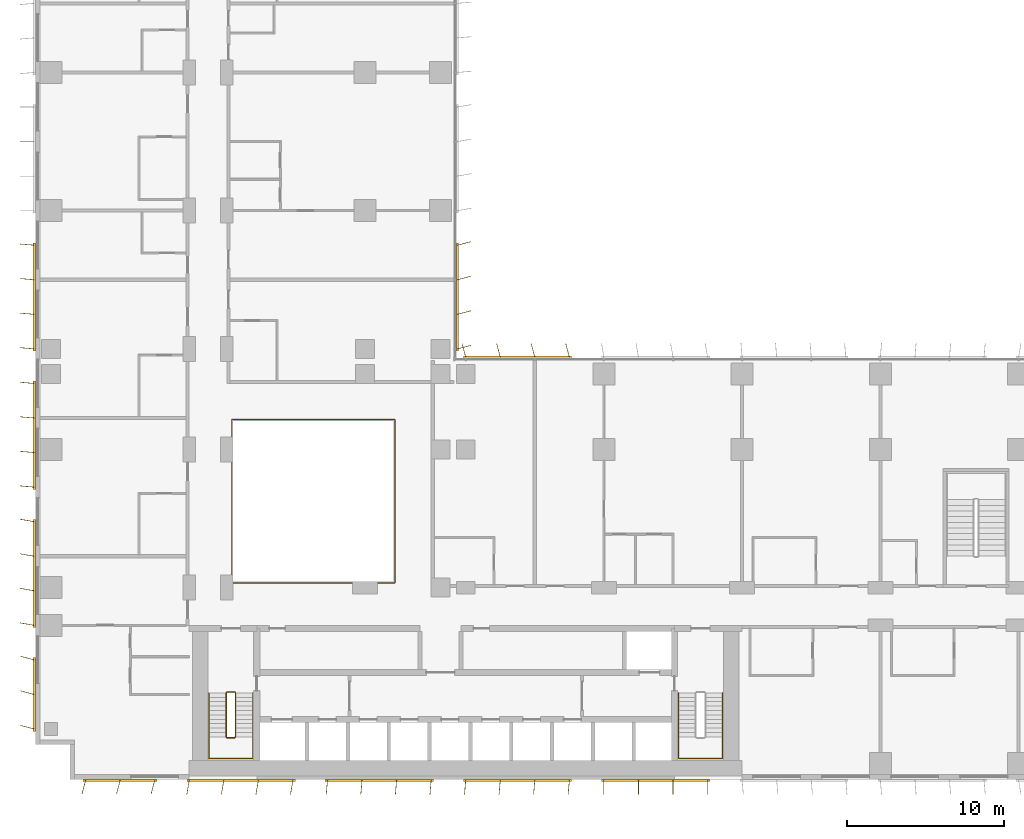
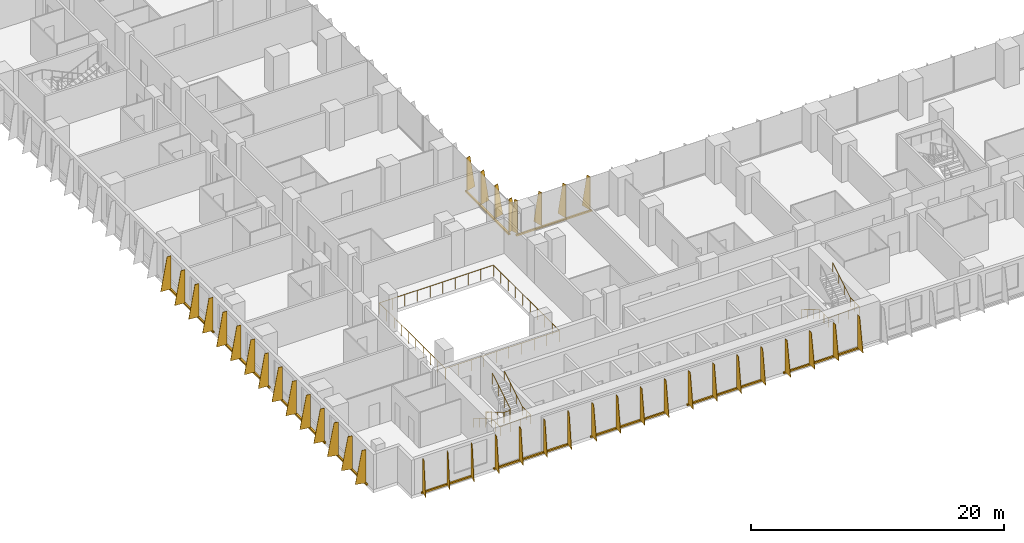
# One storey, part 21 of 24: 11 shading devices, 4 railings.
"""IFC4 building model written with IfcOpenShell, lengths in metres."""

from ifc_helpers import new_model, si_unit, direction, frame, origin, origin_2d, place, context, subcontext, project, spatial, polyline, rectangle, circle, outline, extrude, source, transform, mapped, material, layer, layer_set, type_object, element, save


model = new_model("IFC4")

# Units and contexts
model_context = context("Model", 3, precision=1e-05, world=origin(), true_north=direction((0.0, 1.0)))
body_context = subcontext(model_context, "Body", "Model", "MODEL_VIEW")
ifc_project = project(units=[si_unit("LENGTHUNIT", "METRE"), si_unit("AREAUNIT", "SQUARE_METRE"), si_unit("VOLUMEUNIT", "CUBIC_METRE"), si_unit("PLANEANGLEUNIT", "RADIAN"), si_unit("MASSUNIT", "GRAM", prefix="KILO")], contexts=[model_context])

# Site, building, storey
site_placement = place(None, origin())
site = spatial("IfcSite", under=ifc_project, at=site_placement, CompositionType="ELEMENT")
building_placement = place(site_placement, origin())
building = spatial("IfcBuilding", under=site, at=building_placement, Name="Kemantara Hotel Tower", CompositionType="ELEMENT")
storey_placement = place(building_placement, frame((0.0, 0.0, 45.10009765625)))
storey = spatial("IfcBuildingStorey", under=building, at=storey_placement, Name="L09", CompositionType="ELEMENT", Elevation=45.10009765625)

# Railings
ifc_material_1 = material(Name="Stainless steel and laminated glass balustrade", Category="steel")
railing_type_1 = type_object("IfcRailingType", Name="ATRIUM GUARD 1100", PredefinedType="GUARDRAIL", material=ifc_material_1)
railing_1_placement = place(storey_placement, frame((12.56005859375, 12.5, 0.0)))
element("IfcRailing", 1, at=railing_1_placement, inside=storey, type_object=railing_type_1, Name="ATRIUM GUARD L09", PredefinedType="GUARDRAIL", context=body_context, shape_type="SweptSolid", body=[
    extrude(circle(Radius=0.02490234375, at=origin_2d()), frame((0.0, 0.0, 1.0751953125), z_axis=(1.0, 0.0, 0.0), x_axis=(0.0, 1.0, 0.0)), (0.0, 0.0, 1.0), 10.33984375),
    extrude(circle(Radius=0.02490234375, at=origin_2d()), frame((10.33984375, 0.0, 1.0751953125), z_axis=(0.0, 1.0, 0.0), x_axis=(-1.0, 0.0, 0.0)), (0.0, 0.0, 1.0), 10.39990234375),
    extrude(circle(Radius=0.02490234375, at=origin_2d()), frame((10.33984375, 10.39990234375, 1.0751953125), z_axis=(-1.0, 0.0, 0.0), x_axis=(0.0, -1.0, 0.0)), (0.0, 0.0, 1.0), 10.39990234375),
    extrude(circle(Radius=0.02490234375, at=origin_2d()), frame((-0.06005859375, 10.39990234375, 1.0751953125), z_axis=(0.0, -1.0, 0.0), x_axis=(1.0, 0.0, 0.0)), (0.0, 0.0, 1.0), 10.39990234375),
    extrude(circle(Radius=0.02001953125, at=origin_2d()), origin(), (0.0, 0.0, 1.0), 1.050048828125),
    extrude(circle(Radius=0.02001953125, at=origin_2d()), frame((1.14892578125, 0.0, 0.0)), (0.0, 0.0, 1.0), 1.050048828125),
    extrude(circle(Radius=0.02001953125, at=origin_2d()), frame((2.2978515625, 0.0, 0.0)), (0.0, 0.0, 1.0), 1.050048828125),
    extrude(circle(Radius=0.02001953125, at=origin_2d()), frame((3.446533203125, 0.0, 0.0)), (0.0, 0.0, 1.0), 1.050048828125),
    extrude(circle(Radius=0.02001953125, at=origin_2d()), frame((4.595458984375, 0.0, 0.0)), (0.0, 0.0, 1.0), 1.050048828125),
    extrude(circle(Radius=0.02001953125, at=origin_2d()), frame((5.744384765625, 0.0, 0.0)), (0.0, 0.0, 1.0), 1.050048828125),
    extrude(circle(Radius=0.02001953125, at=origin_2d()), frame((6.893310546875, 0.0, 0.0)), (0.0, 0.0, 1.0), 1.050048828125),
    extrude(circle(Radius=0.02001953125, at=origin_2d()), frame((8.0419921875, 0.0, 0.0)), (0.0, 0.0, 1.0), 1.050048828125),
    extrude(circle(Radius=0.02001953125, at=origin_2d()), frame((9.19091796875, 0.0, 0.0)), (0.0, 0.0, 1.0), 1.050048828125),
    extrude(circle(Radius=0.02001953125, at=origin_2d()), frame((10.33984375, 0.0, 0.0)), (0.0, 0.0, 1.0), 1.050048828125),
    extrude(circle(Radius=0.02001953125, at=origin_2d()), frame((10.33984375, 1.155517578125, 0.0)), (0.0, 0.0, 1.0), 1.050048828125),
    extrude(circle(Radius=0.02001953125, at=origin_2d()), frame((10.33984375, 2.31103515625, 0.0)), (0.0, 0.0, 1.0), 1.050048828125),
    extrude(circle(Radius=0.02001953125, at=origin_2d()), frame((10.33984375, 3.466552734375, 0.0)), (0.0, 0.0, 1.0), 1.050048828125),
    extrude(circle(Radius=0.02001953125, at=origin_2d()), frame((10.33984375, 4.6220703125, 0.0)), (0.0, 0.0, 1.0), 1.050048828125),
    extrude(circle(Radius=0.02001953125, at=origin_2d()), frame((10.33984375, 5.77783203125, 0.0)), (0.0, 0.0, 1.0), 1.050048828125),
    extrude(circle(Radius=0.02001953125, at=origin_2d()), frame((10.33984375, 6.933349609375, 0.0)), (0.0, 0.0, 1.0), 1.050048828125),
    extrude(circle(Radius=0.02001953125, at=origin_2d()), frame((10.33984375, 8.0888671875, 0.0)), (0.0, 0.0, 1.0), 1.050048828125),
    extrude(circle(Radius=0.02001953125, at=origin_2d()), frame((10.33984375, 9.244384765625, 0.0)), (0.0, 0.0, 1.0), 1.050048828125),
    extrude(circle(Radius=0.02001953125, at=origin_2d()), frame((10.33984375, 10.39990234375, 0.0)), (0.0, 0.0, 1.0), 1.050048828125),
    extrude(circle(Radius=0.02001953125, at=origin_2d()), frame((9.184326171875, 10.39990234375, 0.0)), (0.0, 0.0, 1.0), 1.050048828125),
    extrude(circle(Radius=0.02001953125, at=origin_2d()), frame((8.02880859375, 10.39990234375, 0.0)), (0.0, 0.0, 1.0), 1.050048828125),
    extrude(circle(Radius=0.02001953125, at=origin_2d()), frame((6.873291015625, 10.39990234375, 0.0)), (0.0, 0.0, 1.0), 1.050048828125),
    extrude(circle(Radius=0.02001953125, at=origin_2d()), frame((5.7177734375, 10.39990234375, 0.0)), (0.0, 0.0, 1.0), 1.050048828125),
    extrude(circle(Radius=0.02001953125, at=origin_2d()), frame((4.56201171875, 10.39990234375, 0.0)), (0.0, 0.0, 1.0), 1.050048828125),
    extrude(circle(Radius=0.02001953125, at=origin_2d()), frame((3.406494140625, 10.39990234375, 0.0)), (0.0, 0.0, 1.0), 1.050048828125),
    extrude(circle(Radius=0.02001953125, at=origin_2d()), frame((2.2509765625, 10.39990234375, 0.0)), (0.0, 0.0, 1.0), 1.050048828125),
    extrude(circle(Radius=0.02001953125, at=origin_2d()), frame((1.095458984375, 10.39990234375, 0.0)), (0.0, 0.0, 1.0), 1.050048828125),
    extrude(circle(Radius=0.02001953125, at=origin_2d()), frame((-0.06005859375, 10.39990234375, 0.0)), (0.0, 0.0, 1.0), 1.050048828125),
    extrude(circle(Radius=0.02001953125, at=origin_2d()), frame((-0.06005859375, 9.244384765625, 0.0)), (0.0, 0.0, 1.0), 1.050048828125),
    extrude(circle(Radius=0.02001953125, at=origin_2d()), frame((-0.06005859375, 8.0888671875, 0.0)), (0.0, 0.0, 1.0), 1.050048828125),
    extrude(circle(Radius=0.02001953125, at=origin_2d()), frame((-0.06005859375, 6.933349609375, 0.0)), (0.0, 0.0, 1.0), 1.050048828125),
    extrude(circle(Radius=0.02001953125, at=origin_2d()), frame((-0.06005859375, 5.77783203125, 0.0)), (0.0, 0.0, 1.0), 1.050048828125),
    extrude(circle(Radius=0.02001953125, at=origin_2d()), frame((-0.06005859375, 4.6220703125, 0.0)), (0.0, 0.0, 1.0), 1.050048828125),
    extrude(circle(Radius=0.02001953125, at=origin_2d()), frame((-0.06005859375, 3.466552734375, 0.0)), (0.0, 0.0, 1.0), 1.050048828125),
    extrude(circle(Radius=0.02001953125, at=origin_2d()), frame((-0.06005859375, 2.31103515625, 0.0)), (0.0, 0.0, 1.0), 1.050048828125),
    extrude(circle(Radius=0.02001953125, at=origin_2d()), frame((-0.06005859375, 1.155517578125, 0.0)), (0.0, 0.0, 1.0), 1.050048828125),
    extrude(circle(Radius=0.02001953125, at=origin_2d()), frame((-0.06005859375, 0.0, 0.0)), (0.0, 0.0, 1.0), 1.050048828125),
])
ifc_material_2 = material(Name="Stainless steel balustrade", Category="steel")
railing_type_2 = type_object("IfcRailingType", Name="Stair guard 1100 mm", PredefinedType="GUARDRAIL", material=ifc_material_2)
railing_2_placement = place(storey_placement, frame((12.75, 5.5, 3.699951171875)))
element("IfcRailing", 2, at=railing_2_placement, inside=storey, type_object=railing_type_2, Name="L09 ST1 stair guard 1", PredefinedType="GUARDRAIL", context=body_context, shape_type="SweptSolid", body=[
    extrude(circle(Radius=0.02392578125, at=origin_2d()), frame((0.0, 0.0, 1.076171875), z_axis=(0.0, -0.857242210791, -0.514913383045), x_axis=(1.0, 0.0, 0.0)), (0.0, 0.0, 1.0), 3.266357421875),
    extrude(circle(Radius=0.02392578125, at=origin_2d()), frame((0.0, -2.800048828125, -0.60595703125), z_axis=(-0.274243871929, -0.274243871929, -0.92172696468), x_axis=(0.707106781187, -0.707106781187, 0.0)), (0.0, 0.0, 1.0), 0.1826171875),
    extrude(circle(Radius=0.02392578125, at=origin_2d()), frame((-0.050048828125, -2.85009765625, -0.77392578125), z_axis=(-1.0, 0.0, 0.0), x_axis=(0.0, -1.0, 0.0)), (0.0, 0.0, 1.0), 0.5),
    extrude(circle(Radius=0.02392578125, at=origin_2d()), frame((-0.550048828125, -2.85009765625, -0.77392578125), z_axis=(-0.707106781187, 0.707106781187, 0.0), x_axis=(-0.707106781187, -0.707106781187, 0.0)), (0.0, 0.0, 1.0), 0.07080078125),
    extrude(circle(Radius=0.02392578125, at=origin_2d()), frame((-0.60009765625, -2.800048828125, -0.77392578125), z_axis=(0.0, 0.857242210791, -0.514913383045), x_axis=(-1.0, 0.0, 0.0)), (0.0, 0.0, 1.0), 3.266357421875),
    extrude(circle(Radius=0.02392578125, at=origin_2d()), frame((-0.60009765625, 0.0, -2.4560546875), z_axis=(0.274582412415, 0.274582412415, -0.921525364591), x_axis=(-0.707106781187, 0.707106781187, 0.0)), (0.0, 0.0, 1.0), 0.182373046875),
    extrude(circle(Radius=0.02392578125, at=origin_2d()), frame((-0.550048828125, 0.050048828125, -2.6240234375), z_axis=(1.0, 0.0, 0.0), x_axis=(0.0, 1.0, 0.0)), (0.0, 0.0, 1.0), 0.5),
    extrude(circle(Radius=0.02099609375, at=origin_2d()), origin(), (0.0, 0.0, 1.0), 1.052001953125),
    extrude(circle(Radius=0.02099609375, at=origin_2d()), frame((0.0, -0.933349609375, -0.560546875)), (0.0, 0.0, 1.0), 1.052001953125),
    extrude(circle(Radius=0.02099609375, at=origin_2d()), frame((0.0, -1.86669921875, -1.121337890625)), (0.0, 0.0, 1.0), 1.052001953125),
    extrude(circle(Radius=0.02099609375, at=origin_2d()), frame((0.0, -2.800048828125, -1.681884765625)), (0.0, 0.0, 1.0), 1.052001953125),
    extrude(circle(Radius=0.02099609375, at=origin_2d()), frame((-0.050048828125, -2.85009765625, -1.85009765625)), (0.0, 0.0, 1.0), 1.052001953125),
    extrude(circle(Radius=0.02099609375, at=origin_2d()), frame((-0.550048828125, -2.85009765625, -1.85009765625)), (0.0, 0.0, 1.0), 1.052001953125),
    extrude(circle(Radius=0.02099609375, at=origin_2d()), frame((-0.60009765625, -2.800048828125, -1.85009765625)), (0.0, 0.0, 1.0), 1.052001953125),
    extrude(circle(Radius=0.02099609375, at=origin_2d()), frame((-0.60009765625, -1.86669921875, -2.41064453125)), (0.0, 0.0, 1.0), 1.052001953125),
    extrude(circle(Radius=0.02099609375, at=origin_2d()), frame((-0.60009765625, -0.933349609375, -2.971435546875)), (0.0, 0.0, 1.0), 1.052001953125),
    extrude(circle(Radius=0.02099609375, at=origin_2d()), frame((-0.60009765625, 0.0, -3.531982421875)), (0.0, 0.0, 1.0), 1.052001953125),
    extrude(circle(Radius=0.02099609375, at=origin_2d()), frame((-0.550048828125, 0.050048828125, -3.699951171875)), (0.0, 0.0, 1.0), 1.052001953125),
    extrude(circle(Radius=0.02099609375, at=origin_2d()), frame((-0.050048828125, 0.050048828125, -3.699951171875)), (0.0, 0.0, 1.0), 1.052001953125),
])
railing_type_3 = type_object("IfcRailingType", Name="Stair handrail 900 mm", PredefinedType="HANDRAIL", material=ifc_material_2)
railing_3_placement = place(storey_placement, frame((11.050048828125, 5.5, 0.16796875)))
element("IfcRailing", 3, at=railing_3_placement, inside=storey, type_object=railing_type_3, Name="L09 ST1 stair handrail 1", PredefinedType="HANDRAIL", context=body_context, shape_type="SweptSolid", body=[
    extrude(circle(Radius=0.02392578125, at=origin_2d()), frame((0.0, 0.0, 0.8759765625), z_axis=(0.0, -0.857242210791, 0.514913383045), x_axis=(1.0, 0.0, 0.0)), (0.0, 0.0, 1.0), 3.266357421875),
    extrude(circle(Radius=0.02392578125, at=origin_2d()), frame((0.0, -2.800048828125, 2.5576171875), z_axis=(0.0, -1.0, 0.0), x_axis=(1.0, 0.0, 0.0)), (0.0, 0.0, 1.0), 1.3798828125),
    extrude(circle(Radius=0.02392578125, at=origin_2d()), frame((0.0, -4.179931640625, 2.5576171875), z_axis=(0.998200367801, 0.0, 0.059966871865), x_axis=(0.0, 1.0, 0.0)), (0.0, 0.0, 1.0), 2.80517578125),
    extrude(circle(Radius=0.02392578125, at=origin_2d()), frame((2.800048828125, -4.179931640625, 2.72607421875), z_axis=(0.0, 1.0, 0.0), x_axis=(-1.0, 0.0, 0.0)), (0.0, 0.0, 1.0), 1.3798828125),
    extrude(circle(Radius=0.02392578125, at=origin_2d()), frame((2.800048828125, -2.800048828125, 2.72607421875), z_axis=(0.0, 0.857242210791, 0.514913383045), x_axis=(-1.0, 0.0, 0.0)), (0.0, 0.0, 1.0), 3.266357421875),
    extrude(circle(Radius=0.02099609375, at=origin_2d()), origin(), (0.0, 0.0, 1.0), 0.851806640625),
    extrude(circle(Radius=0.02099609375, at=origin_2d()), frame((0.0, -0.933349609375, 0.560546875)), (0.0, 0.0, 1.0), 0.851806640625),
    extrude(circle(Radius=0.02099609375, at=origin_2d()), frame((0.0, -1.86669921875, 1.121337890625)), (0.0, 0.0, 1.0), 0.851806640625),
    extrude(circle(Radius=0.02099609375, at=origin_2d()), frame((0.0, -2.800048828125, 1.681884765625)), (0.0, 0.0, 1.0), 0.851806640625),
    extrude(circle(Radius=0.02099609375, at=origin_2d()), frame((0.0, -3.489990234375, 1.681884765625)), (0.0, 0.0, 1.0), 0.851806640625),
    extrude(circle(Radius=0.02099609375, at=origin_2d()), frame((0.0, -4.179931640625, 1.681884765625)), (0.0, 0.0, 1.0), 0.851806640625),
    extrude(circle(Radius=0.02099609375, at=origin_2d()), frame((0.933349609375, -4.179931640625, 1.738037109375)), (0.0, 0.0, 1.0), 0.851806640625),
    extrude(circle(Radius=0.02099609375, at=origin_2d()), frame((1.86669921875, -4.179931640625, 1.7939453125)), (0.0, 0.0, 1.0), 0.851806640625),
    extrude(circle(Radius=0.02099609375, at=origin_2d()), frame((2.800048828125, -4.179931640625, 1.85009765625)), (0.0, 0.0, 1.0), 0.851806640625),
    extrude(circle(Radius=0.02099609375, at=origin_2d()), frame((2.800048828125, -3.489990234375, 1.85009765625)), (0.0, 0.0, 1.0), 0.851806640625),
    extrude(circle(Radius=0.02099609375, at=origin_2d()), frame((2.800048828125, -2.800048828125, 1.85009765625)), (0.0, 0.0, 1.0), 0.851806640625),
    extrude(circle(Radius=0.02099609375, at=origin_2d()), frame((2.800048828125, -1.86669921875, 2.41064453125)), (0.0, 0.0, 1.0), 0.851806640625),
    extrude(circle(Radius=0.02099609375, at=origin_2d()), frame((2.800048828125, -0.933349609375, 2.971435546875)), (0.0, 0.0, 1.0), 0.851806640625),
    extrude(circle(Radius=0.02099609375, at=origin_2d()), frame((2.800048828125, 0.0, 3.531982421875)), (0.0, 0.0, 1.0), 0.851806640625),
])
railing_4_placement = place(storey_placement, frame((40.949951171875, 5.5, 0.16796875)))
element("IfcRailing", 4, at=railing_4_placement, inside=storey, type_object=railing_type_3, Name="L09 ST2 stair handrail 1", PredefinedType="HANDRAIL", context=body_context, shape_type="SweptSolid", body=[
    extrude(circle(Radius=0.02392578125, at=origin_2d()), frame((0.0, 0.0, 0.8759765625), z_axis=(0.0, -0.857242210791, 0.514913383045), x_axis=(1.0, 0.0, 0.0)), (0.0, 0.0, 1.0), 3.266357421875),
    extrude(circle(Radius=0.02392578125, at=origin_2d()), frame((0.0, -2.800048828125, 2.5576171875), z_axis=(0.0, -1.0, 0.0), x_axis=(1.0, 0.0, 0.0)), (0.0, 0.0, 1.0), 1.3798828125),
    extrude(circle(Radius=0.02392578125, at=origin_2d()), frame((0.0, -4.179931640625, 2.5576171875), z_axis=(0.998200367801, 0.0, 0.059966871865), x_axis=(0.0, 1.0, 0.0)), (0.0, 0.0, 1.0), 2.80517578125),
    extrude(circle(Radius=0.02392578125, at=origin_2d()), frame((2.800048828125, -4.179931640625, 2.72607421875), z_axis=(0.0, 1.0, 0.0), x_axis=(-1.0, 0.0, 0.0)), (0.0, 0.0, 1.0), 1.3798828125),
    extrude(circle(Radius=0.02392578125, at=origin_2d()), frame((2.800048828125, -2.800048828125, 2.72607421875), z_axis=(0.0, 0.857242210791, 0.514913383045), x_axis=(-1.0, 0.0, 0.0)), (0.0, 0.0, 1.0), 3.266357421875),
    extrude(circle(Radius=0.02099609375, at=origin_2d()), origin(), (0.0, 0.0, 1.0), 0.851806640625),
    extrude(circle(Radius=0.02099609375, at=origin_2d()), frame((0.0, -0.933349609375, 0.560546875)), (0.0, 0.0, 1.0), 0.851806640625),
    extrude(circle(Radius=0.02099609375, at=origin_2d()), frame((0.0, -1.86669921875, 1.121337890625)), (0.0, 0.0, 1.0), 0.851806640625),
    extrude(circle(Radius=0.02099609375, at=origin_2d()), frame((0.0, -2.800048828125, 1.681884765625)), (0.0, 0.0, 1.0), 0.851806640625),
    extrude(circle(Radius=0.02099609375, at=origin_2d()), frame((0.0, -3.489990234375, 1.681884765625)), (0.0, 0.0, 1.0), 0.851806640625),
    extrude(circle(Radius=0.02099609375, at=origin_2d()), frame((0.0, -4.179931640625, 1.681884765625)), (0.0, 0.0, 1.0), 0.851806640625),
    extrude(circle(Radius=0.02099609375, at=origin_2d()), frame((0.933349609375, -4.179931640625, 1.738037109375)), (0.0, 0.0, 1.0), 0.851806640625),
    extrude(circle(Radius=0.02099609375, at=origin_2d()), frame((1.86669921875, -4.179931640625, 1.7939453125)), (0.0, 0.0, 1.0), 0.851806640625),
    extrude(circle(Radius=0.02099609375, at=origin_2d()), frame((2.800048828125, -4.179931640625, 1.85009765625)), (0.0, 0.0, 1.0), 0.851806640625),
    extrude(circle(Radius=0.02099609375, at=origin_2d()), frame((2.800048828125, -3.489990234375, 1.85009765625)), (0.0, 0.0, 1.0), 0.851806640625),
    extrude(circle(Radius=0.02099609375, at=origin_2d()), frame((2.800048828125, -2.800048828125, 1.85009765625)), (0.0, 0.0, 1.0), 0.851806640625),
    extrude(circle(Radius=0.02099609375, at=origin_2d()), frame((2.800048828125, -1.86669921875, 2.41064453125)), (0.0, 0.0, 1.0), 0.851806640625),
    extrude(circle(Radius=0.02099609375, at=origin_2d()), frame((2.800048828125, -0.933349609375, 2.971435546875)), (0.0, 0.0, 1.0), 0.851806640625),
    extrude(circle(Radius=0.02099609375, at=origin_2d()), frame((2.800048828125, 0.0, 3.531982421875)), (0.0, 0.0, 1.0), 0.851806640625),
])

# Shading devices
ifc_material_3 = material(Name="Perforated aluminium plate 4 mm bronze anodised", Category="aluminium")
ifc_layer_1 = layer(ifc_material_3, 0.0400390625)
ifc_layer_set_1 = layer_set([ifc_layer_1], Name="Perforated aluminium plate 4 mm bronze anodised")
shading_device_type_1 = type_object("IfcShadingDeviceType", Name="SCREEN FIN CASSETTE, 3 BLADES AT -15.0 DEG, 3200 HIGH", PredefinedType="USERDEFINED", material=ifc_layer_set_1)
shared_shape_1 = source(origin(), body_context, "Body", "SweptSolid", [
    extrude(rectangle(XDim=4.699951171875, YDim=0.14990234375, at=origin_2d()), frame((2.199951171875, -0.074951171875, -0.14990234375), z_axis=(0.0, 0.0, 1.0), x_axis=(1.0, 0.0, 0.0)), (0.0, 0.0, 1.0), 0.14990234375),
    extrude(outline(polyline([(0.0, 0.0), (0.89990234375, 0.0), (0.35009765625, 3.199951171875), (0.0, 3.199951171875), (0.0, 0.0)])), frame((0.019287109375, -0.080078125, 0.0), z_axis=(-0.966437683387, 0.256901156343, 0.0), x_axis=(-0.256901156343, -0.966437683387, 0.0)), (0.0, 0.0, 1.0), 0.039794921875),
    extrude(outline(polyline([(0.0, 0.0), (0.89990234375, 0.0), (0.35009765625, 3.199951171875), (0.0, 3.199951171875), (0.0, 0.0)])), frame((2.21923828125, -0.080078125, 0.0), z_axis=(-0.966437683387, 0.256901156343, 0.0), x_axis=(-0.256901156343, -0.966437683387, 0.0)), (0.0, 0.0, 1.0), 0.039794921875),
    extrude(outline(polyline([(0.0, 0.0), (0.89990234375, 0.0), (0.35009765625, 3.199951171875), (0.0, 3.199951171875), (0.0, 0.0)])), frame((4.41943359375, -0.080078125, 0.0), z_axis=(-0.966837822169, 0.255391122837, 0.0), x_axis=(-0.255391122837, -0.966837822169, 0.0)), (0.0, 0.0, 1.0), 0.0400390625),
])
for number, where, z_axis, x_axis, name in (
    (5, (3.199951171875, 0.0, 0.099853515625), (0.0, 0.0, 1.0), (1.0, 0.0, 0.0), "SCREEN FIN CASSETTE L09 T1-R01-1"),
    (6, (0.0, 7.60009765625, 0.099853515625), (0.0, 0.0, 1.0), (0.0, -1.0, 0.0), "SCREEN FIN CASSETTE L09 T1-R14-9"),
):
    element("IfcShadingDevice", number, at=place(storey_placement, frame(where, z_axis=z_axis, x_axis=x_axis)), inside=storey, type_object=shading_device_type_1, Name=name, ObjectType="SCREEN FIN", PredefinedType="USERDEFINED", context=body_context, shape_type="MappedRepresentation", body=[
        mapped(shared_shape_1, transform((0.0, 0.0, 0.0))),
    ])
ifc_layer_2 = layer(ifc_material_3, 0.0400390625)
ifc_layer_set_2 = layer_set([ifc_layer_2], Name="Perforated aluminium plate 4 mm bronze anodised")
shading_device_type_2 = type_object("IfcShadingDeviceType", Name="SCREEN FIN CASSETTE, 4 BLADES AT -10.0 DEG, 3200 HIGH", PredefinedType="USERDEFINED", material=ifc_layer_set_2)
shared_shape_2 = source(origin(), body_context, "Body", "SweptSolid", [
    extrude(rectangle(XDim=6.89990234375, YDim=0.14990234375, at=origin_2d()), frame((3.300048828125, -0.074951171875, -0.14990234375), z_axis=(0.0, 0.0, 1.0), x_axis=(1.0, 0.0, 0.0)), (0.0, 0.0, 1.0), 0.14990234375),
    extrude(outline(polyline([(0.0, 0.0), (0.89990234375, 0.0), (0.35009765625, 3.199951171875), (0.0, 3.199951171875), (0.0, 0.0)])), frame((0.019775390625, -0.078369140625, 0.0), z_axis=(-0.985389793052, 0.170314285219, 0.0), x_axis=(-0.170314285219, -0.985389793052, 0.0)), (0.0, 0.0, 1.0), 0.0400390625),
    extrude(outline(polyline([(0.0, 0.0), (0.89990234375, 0.0), (0.35009765625, 3.199951171875), (0.0, 3.199951171875), (0.0, 0.0)])), frame((2.2197265625, -0.078369140625, 0.0), z_axis=(-0.98521175482, 0.171341174751, 0.0), x_axis=(-0.171341174751, -0.98521175482, 0.0)), (0.0, 0.0, 1.0), 0.039794921875),
    extrude(outline(polyline([(0.0, 0.0), (0.89990234375, 0.0), (0.35009765625, 3.199951171875), (0.0, 3.199951171875), (0.0, 0.0)])), frame((4.419677734375, -0.078369140625, 0.0), z_axis=(-0.98521175482, 0.171341174751, 0.0), x_axis=(-0.171341174751, -0.98521175482, 0.0)), (0.0, 0.0, 1.0), 0.039794921875),
    extrude(outline(polyline([(0.0, 0.0), (0.89990234375, 0.0), (0.35009765625, 3.199951171875), (0.0, 3.199951171875), (0.0, 0.0)])), frame((6.61962890625, -0.078369140625, 0.0), z_axis=(-0.98521175482, 0.171341174751, 0.0), x_axis=(-0.171341174751, -0.98521175482, 0.0)), (0.0, 0.0, 1.0), 0.039794921875),
])
for number, where, z_axis, x_axis, name in (
    (7, (9.800048828125, 0.0, 0.099853515625), (0.0, 0.0, 1.0), (1.0, 0.0, 0.0), "SCREEN FIN CASSETTE L09 T1-R01-2"),
    (8, (0.0, 16.39990234375, 0.099853515625), (0.0, 0.0, 1.0), (0.0, -1.0, 0.0), "SCREEN FIN CASSETTE L09 T1-R14-8"),
):
    element("IfcShadingDevice", number, at=place(storey_placement, frame(where, z_axis=z_axis, x_axis=x_axis)), inside=storey, type_object=shading_device_type_2, Name=name, ObjectType="SCREEN FIN", PredefinedType="USERDEFINED", context=body_context, shape_type="MappedRepresentation", body=[
        mapped(shared_shape_2, transform((0.0, 0.0, 0.0))),
    ])
ifc_layer_3 = layer(ifc_material_3, 0.0400390625)
ifc_layer_set_3 = layer_set([ifc_layer_3], Name="Perforated aluminium plate 4 mm bronze anodised")
shading_device_type_3 = type_object("IfcShadingDeviceType", Name="SCREEN FIN CASSETTE, 4 BLADES AT -5.0 DEG, 3200 HIGH", PredefinedType="USERDEFINED", material=ifc_layer_set_3)
shared_shape_3 = source(origin(), body_context, "Body", "SweptSolid", [
    extrude(rectangle(XDim=6.89990234375, YDim=0.14990234375, at=origin_2d()), frame((3.300048828125, -0.074951171875, -0.14990234375), z_axis=(0.0, 0.0, 1.0), x_axis=(1.0, 0.0, 0.0)), (0.0, 0.0, 1.0), 0.14990234375),
    extrude(outline(polyline([(0.0, 0.0), (0.89990234375, 0.0), (0.35009765625, 3.199951171875), (0.0, 3.199951171875), (0.0, 0.0)])), frame((0.02001953125, -0.07666015625, 0.0), z_axis=(-0.996376129781, 0.085056498884, 0.0), x_axis=(-0.085056498884, -0.996376129781, 0.0)), (0.0, 0.0, 1.0), 0.040283203125),
    extrude(outline(polyline([(0.0, 0.0), (0.89990234375, 0.0), (0.35009765625, 3.199951171875), (0.0, 3.199951171875), (0.0, 0.0)])), frame((2.219970703125, -0.07666015625, 0.0), z_axis=(-0.996331773833, 0.085574508182, 0.0), x_axis=(-0.085574508182, -0.996331773833, 0.0)), (0.0, 0.0, 1.0), 0.0400390625),
    extrude(outline(polyline([(0.0, 0.0), (0.89990234375, 0.0), (0.35009765625, 3.199951171875), (0.0, 3.199951171875), (0.0, 0.0)])), frame((4.419921875, -0.07666015625, 0.0), z_axis=(-0.996331773833, 0.085574508182, 0.0), x_axis=(-0.085574508182, -0.996331773833, 0.0)), (0.0, 0.0, 1.0), 0.0400390625),
    extrude(outline(polyline([(0.0, 0.0), (0.89990234375, 0.0), (0.35009765625, 3.199951171875), (0.0, 3.199951171875), (0.0, 0.0)])), frame((6.619873046875, -0.07666015625, 0.0), z_axis=(-0.996331773833, 0.085574508182, 0.0), x_axis=(-0.085574508182, -0.996331773833, 0.0)), (0.0, 0.0, 1.0), 0.0400390625),
])
for number, where, z_axis, x_axis, name in (
    (9, (18.60009765625, 0.0, 0.099853515625), (0.0, 0.0, 1.0), (1.0, 0.0, 0.0), "SCREEN FIN CASSETTE L09 T1-R01-3"),
    (10, (27.39990234375, 0.0, 0.099853515625), (0.0, 0.0, 1.0), (1.0, 0.0, 0.0), "SCREEN FIN CASSETTE L09 T1-R01-4"),
    (11, (0.0, 34.0, 0.099853515625), (0.0, 0.0, 1.0), (0.0, -1.0, 0.0), "SCREEN FIN CASSETTE L09 T1-R14-6"),
    (12, (0.0, 25.199951171875, 0.099853515625), (0.0, 0.0, 1.0), (0.0, -1.0, 0.0), "SCREEN FIN CASSETTE L09 T1-R14-7"),
):
    element("IfcShadingDevice", number, at=place(storey_placement, frame(where, z_axis=z_axis, x_axis=x_axis)), inside=storey, type_object=shading_device_type_3, Name=name, ObjectType="SCREEN FIN", PredefinedType="USERDEFINED", context=body_context, shape_type="MappedRepresentation", body=[
        mapped(shared_shape_3, transform((0.0, 0.0, 0.0))),
    ])
ifc_layer_4 = layer(ifc_material_3, 0.0400390625)
ifc_layer_set_4 = layer_set([ifc_layer_4], Name="Perforated aluminium plate 4 mm bronze anodised")
shading_device_type_4 = type_object("IfcShadingDeviceType", Name="SCREEN FIN CASSETTE, 4 BLADES AT +0.0 DEG, 3200 HIGH", PredefinedType="USERDEFINED", material=ifc_layer_set_4)
shared_shape_4 = source(origin(), body_context, "Body", "SweptSolid", [
    extrude(rectangle(XDim=6.89990234375, YDim=0.14990234375, at=origin_2d()), frame((3.300048828125, -0.074951171875, -0.14990234375), z_axis=(0.0, 0.0, 1.0), x_axis=(1.0, 0.0, 0.0)), (0.0, 0.0, 1.0), 0.14990234375),
    extrude(outline(polyline([(0.0, 0.0), (0.89990234375, 0.0), (0.35009765625, 3.199951171875), (0.0, 3.199951171875), (0.0, 0.0)])), frame((0.02001953125, -0.074951171875, 0.0), z_axis=(-1.0, 0.0, 0.0), x_axis=(0.0, -1.0, 0.0)), (0.0, 0.0, 1.0), 0.0400390625),
    extrude(outline(polyline([(0.0, 0.0), (0.89990234375, 0.0), (0.35009765625, 3.199951171875), (0.0, 3.199951171875), (0.0, 0.0)])), frame((2.219970703125, -0.074951171875, 0.0), z_axis=(-1.0, 0.0, 0.0), x_axis=(0.0, -1.0, 0.0)), (0.0, 0.0, 1.0), 0.0400390625),
    extrude(outline(polyline([(0.0, 0.0), (0.89990234375, 0.0), (0.35009765625, 3.199951171875), (0.0, 3.199951171875), (0.0, 0.0)])), frame((4.419921875, -0.074951171875, 0.0), z_axis=(-1.0, 0.0, 0.0), x_axis=(0.0, -1.0, 0.0)), (0.0, 0.0, 1.0), 0.0400390625),
    extrude(outline(polyline([(0.0, 0.0), (0.89990234375, 0.0), (0.35009765625, 3.199951171875), (0.0, 3.199951171875), (0.0, 0.0)])), frame((6.6201171875, -0.074951171875, 0.0), z_axis=(-1.0, 0.0, 0.0), x_axis=(0.0, -1.0, 0.0)), (0.0, 0.0, 1.0), 0.0400390625),
])
shading_device_placement = place(storey_placement, frame((36.199951171875, 0.0, 0.099853515625), z_axis=(0.0, 0.0, 1.0), x_axis=(1.0, 0.0, 0.0)))
element("IfcShadingDevice", 13, at=shading_device_placement, inside=storey, type_object=shading_device_type_4, Name="SCREEN FIN CASSETTE L09 T1-R01-5", ObjectType="SCREEN FIN", PredefinedType="USERDEFINED", context=body_context, shape_type="MappedRepresentation", body=[
    mapped(shared_shape_4, transform((0.0, 0.0, 0.0))),
])
ifc_layer_5 = layer(ifc_material_3, 0.0400390625)
ifc_layer_set_5 = layer_set([ifc_layer_5], Name="Perforated aluminium plate 4 mm bronze anodised")
shading_device_type_5 = type_object("IfcShadingDeviceType", Name="SCREEN FIN CASSETTE, 4 BLADES AT +15.0 DEG, 3200 HIGH", PredefinedType="USERDEFINED", material=ifc_layer_set_5)
shared_shape_5 = source(origin(), body_context, "Body", "SweptSolid", [
    extrude(rectangle(XDim=6.89990234375, YDim=0.14990234375, at=origin_2d()), frame((3.300048828125, -0.074951171875, -0.14990234375), z_axis=(0.0, 0.0, 1.0), x_axis=(1.0, 0.0, 0.0)), (0.0, 0.0, 1.0), 0.14990234375),
    extrude(outline(polyline([(0.0, 0.0), (0.89990234375, 0.0), (0.35009765625, 3.199951171875), (0.0, 3.199951171875), (0.0, 0.0)])), frame((0.019287109375, -0.06982421875, 0.0), z_axis=(-0.966437683387, -0.256901156343, 0.0), x_axis=(0.256901156343, -0.966437683387, 0.0)), (0.0, 0.0, 1.0), 0.039794921875),
    extrude(outline(polyline([(0.0, 0.0), (0.89990234375, 0.0), (0.35009765625, 3.199951171875), (0.0, 3.199951171875), (0.0, 0.0)])), frame((2.21923828125, -0.06982421875, 0.0), z_axis=(-0.966437683387, -0.256901156343, 0.0), x_axis=(0.256901156343, -0.966437683387, 0.0)), (0.0, 0.0, 1.0), 0.039794921875),
    extrude(outline(polyline([(0.0, 0.0), (0.89990234375, 0.0), (0.35009765625, 3.199951171875), (0.0, 3.199951171875), (0.0, 0.0)])), frame((4.41943359375, -0.06982421875, 0.0), z_axis=(-0.966837822169, -0.255391122837, 0.0), x_axis=(0.255391122837, -0.966837822169, 0.0)), (0.0, 0.0, 1.0), 0.0400390625),
    extrude(outline(polyline([(0.0, 0.0), (0.89990234375, 0.0), (0.35009765625, 3.199951171875), (0.0, 3.199951171875), (0.0, 0.0)])), frame((6.619384765625, -0.06982421875, 0.0), z_axis=(-0.966837822169, -0.255391122837, 0.0), x_axis=(0.255391122837, -0.966837822169, 0.0)), (0.0, 0.0, 1.0), 0.0400390625),
])
for number, where, z_axis, x_axis, name in (
    (14, (34.0, 26.800048828125, 0.099853515625), (0.0, 0.0, 1.0), (-1.0, 0.0, 0.0), "SCREEN FIN CASSETTE L09 T1-R07-6"),
    (15, (26.800048828125, 27.39990234375, 0.099853515625), (0.0, 0.0, 1.0), (0.0, 1.0, 0.0), "SCREEN FIN CASSETTE L09 T1-R08-1"),
):
    element("IfcShadingDevice", number, at=place(storey_placement, frame(where, z_axis=z_axis, x_axis=x_axis)), inside=storey, type_object=shading_device_type_5, Name=name, ObjectType="SCREEN FIN", PredefinedType="USERDEFINED", context=body_context, shape_type="MappedRepresentation", body=[
        mapped(shared_shape_5, transform((0.0, 0.0, 0.0))),
    ])

save(model, "model.ifc")
